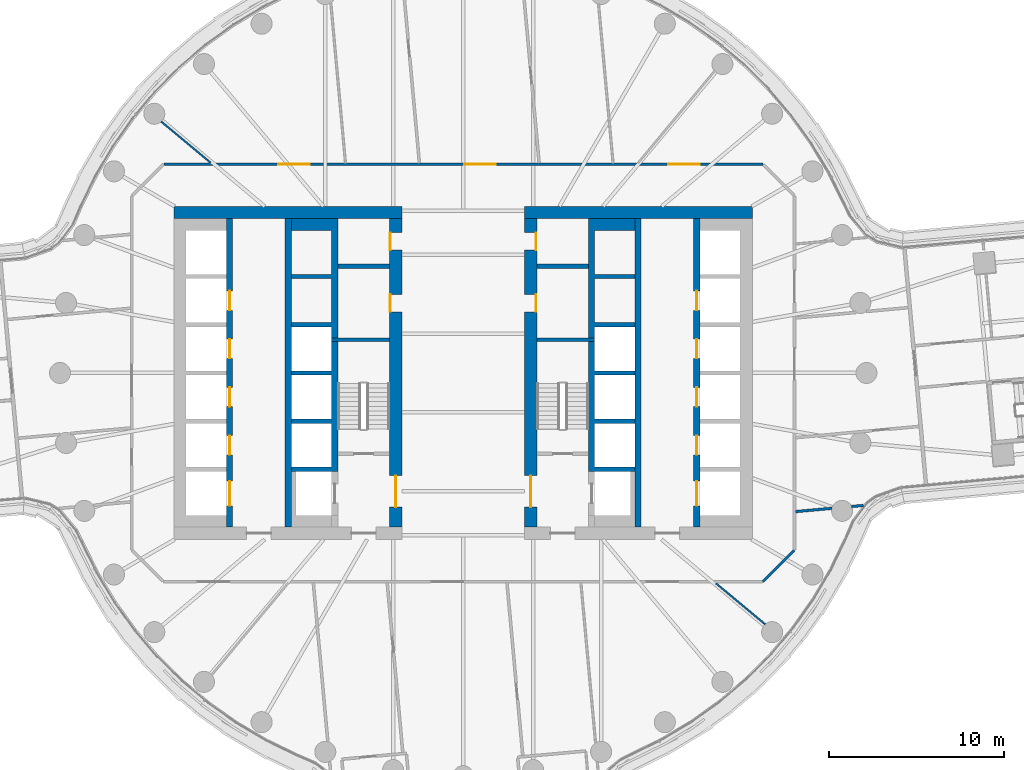
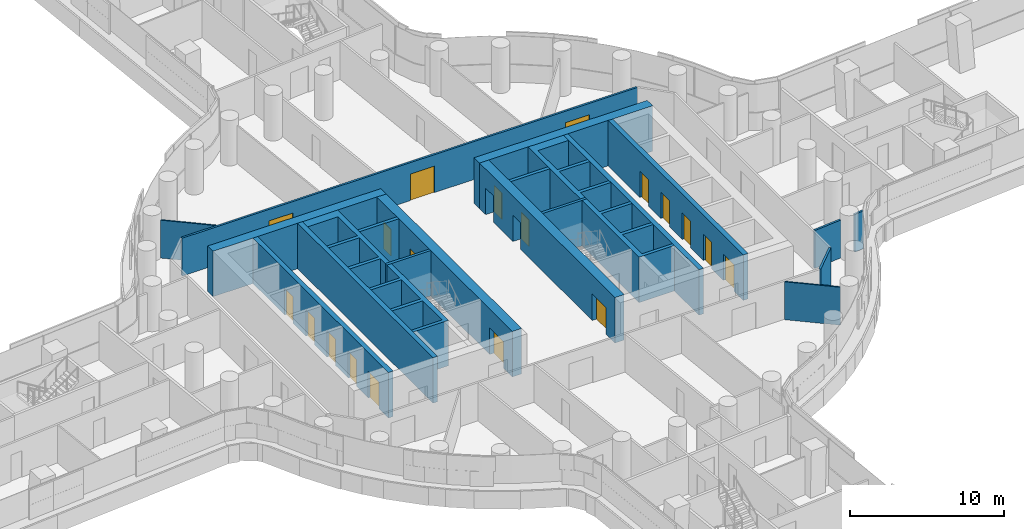
# One storey, part 21 of 31: 20 walls, 19 doors, 19 openings.
"""IFC4 building model written with IfcOpenShell, lengths in metres."""

import ifcopenshell
import ifcopenshell.guid

model = None  # the IFC model being written
_history = None  # IfcOwnerHistory: only IFC2X3 demands one
_inside = {}  # id of a spatial element -> (the spatial element, [elements in it])
_under = {}  # id of a project, library or spatial element -> (it, [spatial elements below it])
_declared = {}  # id of a project -> (the project, [libraries it declares])
_typed = {}  # id of a type object -> (the type object, [elements of that type])
_made_of = {}  # id of a material, layer set ... -> (it, [elements and type objects made of it])


def new_model(schema):
    """Start an empty IFC model of exactly this schema.

    Asked for "IFC4X3", IfcOpenShell would pick the latest addendum, in which some entities
    have other attributes; the version numbers below select the first issue.
    IFC2X3 requires an IfcOwnerHistory on every rooted entity: one is made here for all.
    """
    global model, _history
    if schema == "IFC4X3":
        model = ifcopenshell.file(schema_version=(4, 3, 0, 0))
    else:
        model = ifcopenshell.file(schema=schema)
    _inside.clear()
    _under.clear()
    _declared.clear()
    _typed.clear()
    _made_of.clear()
    _history = None
    if model.schema == "IFC2X3":
        org = make("IfcOrganization", Name="unknown")
        user = make(
            "IfcPersonAndOrganization",
            ThePerson=make("IfcPerson", FamilyName="unknown"),
            TheOrganization=org,
        )
        app = make(
            "IfcApplication",
            ApplicationDeveloper=org,
            Version="unknown",
            ApplicationFullName="unknown",
            ApplicationIdentifier="unknown",
        )
        _history = make(
            "IfcOwnerHistory",
            OwningUser=user,
            OwningApplication=app,
            ChangeAction="ADDED",
            CreationDate=0,
        )
    return model


def make(cls, **values):
    """One entity of the class cls with the attributes given. An attribute that is None is left unset."""
    return model.create_entity(
        cls, **{name: value for name, value in values.items() if value is not None}
    )


def rooted(cls, **values):
    """An entity with a GlobalId (a new one), such as an element, a storey or a relation."""
    return make(cls, GlobalId=ifcopenshell.guid.new(), OwnerHistory=_history, **values)


def si_unit(unit_type, name, prefix=None):
    """IfcSIUnit, for example si_unit("LENGTHUNIT", "METRE", prefix="MILLI")."""
    return make("IfcSIUnit", UnitType=unit_type, Prefix=prefix, Name=name)


def assignment(units):
    """IfcUnitAssignment: the units of a project."""
    return None if units is None else make("IfcUnitAssignment", Units=units)


def point(xyz):
    """IfcCartesianPoint."""
    return None if xyz is None else make("IfcCartesianPoint", Coordinates=xyz)


def direction(xyz):
    """IfcDirection."""
    return None if xyz is None else make("IfcDirection", DirectionRatios=xyz)


def frame(location, z_axis=None, x_axis=None):
    """IfcAxis2Placement3D, a coordinate frame: its origin and axes. An axis left out is left unset."""
    return make(
        "IfcAxis2Placement3D",
        Location=point(location),
        Axis=direction(z_axis),
        RefDirection=direction(x_axis),
    )


def frame_2d(location, x_axis=None):
    """IfcAxis2Placement2D, a coordinate frame in the plane: its origin and x axis."""
    return make(
        "IfcAxis2Placement2D", Location=point(location), RefDirection=direction(x_axis)
    )


def origin():
    """The frame at (0, 0, 0) with its axes left unset."""
    return frame((0.0, 0.0, 0.0))


def place(relative_to, where):
    """IfcLocalPlacement: puts the frame where relative to a parent placement (None: the world)."""
    return make(
        "IfcLocalPlacement", PlacementRelTo=relative_to, RelativePlacement=where
    )


def context(
    kind, dimensions, precision=None, world=None, true_north=None, identifier=None
):
    """IfcGeometricRepresentationContext, for example the 3D "Model" context."""
    return make(
        "IfcGeometricRepresentationContext",
        ContextIdentifier=identifier,
        ContextType=kind,
        CoordinateSpaceDimension=dimensions,
        Precision=precision,
        WorldCoordinateSystem=world,
        TrueNorth=true_north,
    )


def subcontext(parent, identifier, kind, view, scale=None):
    """IfcGeometricRepresentationSubContext, for example "Body" below "Model"."""
    return make(
        "IfcGeometricRepresentationSubContext",
        ContextIdentifier=identifier,
        ContextType=kind,
        ParentContext=parent,
        TargetScale=scale,
        TargetView=view,
    )


def project(units=None, contexts=None):
    """IfcProject with its units and contexts."""
    return rooted(
        "IfcProject",
        Name="project",
        RepresentationContexts=contexts,
        UnitsInContext=assignment(units),
    )


def spatial(cls, under=None, at=None, **own):
    """A site, building, storey or space (cls), placed at a placement, below another one or the project."""
    s = rooted(cls, ObjectPlacement=at, **own)
    if under is not None:
        _under.setdefault(under.id(), (under, []))[1].append(s)
    return s


def polyline(points):
    """IfcPolyline through the points."""
    return make("IfcPolyline", Points=[point(p) for p in points])


def profile(cls, at=None, kind="AREA", **sizes):
    """A parametric profile (cls). Its sizes go by their IFC names, for example OverallWidth=200.0."""
    return make(cls, ProfileType=kind, Position=at, **sizes)


def rectangle(**sizes):
    """IfcRectangleProfileDef."""
    return profile("IfcRectangleProfileDef", **sizes)


def outline(outer, holes=None, kind="AREA"):
    """IfcArbitraryClosedProfileDef: a profile drawn as a closed curve; with holes, ...WithVoids."""
    if holes is None:
        return make("IfcArbitraryClosedProfileDef", ProfileType=kind, OuterCurve=outer)
    return make(
        "IfcArbitraryProfileDefWithVoids",
        ProfileType=kind,
        OuterCurve=outer,
        InnerCurves=holes,
    )


def extrude(swept, where, along, depth):
    """IfcExtrudedAreaSolid: the profile swept, set in the frame where, extruded along a direction by depth."""
    return make(
        "IfcExtrudedAreaSolid",
        SweptArea=swept,
        Position=where,
        ExtrudedDirection=direction(along),
        Depth=depth,
    )


def shape(context_of_items, identifier, shape_type, items):
    """IfcShapeRepresentation: the items that make up one representation, for example the "Body"."""
    return make(
        "IfcShapeRepresentation",
        ContextOfItems=context_of_items,
        RepresentationIdentifier=identifier,
        RepresentationType=shape_type,
        Items=items,
    )


def material(Name=None, Category=None):
    """IfcMaterial."""
    return make("IfcMaterial", Name=Name, Category=Category)


def layer(
    of_material, thickness, ventilated=None, Name=None, Category=None, Priority=None
):
    """IfcMaterialLayer: one layer of a wall or slab, of a material (None: an air gap)."""
    return make(
        "IfcMaterialLayer",
        Material=of_material,
        LayerThickness=thickness,
        IsVentilated=ventilated,
        Name=Name,
        Category=Category,
        Priority=Priority,
    )


def layer_set(layers, Name=None):
    """IfcMaterialLayerSet."""
    return make("IfcMaterialLayerSet", MaterialLayers=layers, LayerSetName=Name)


def made_of(thing, what):
    """Note that an element or type object is made of a material, layer set ...; save() writes the relation."""
    if what is not None:
        _made_of.setdefault(what.id(), (what, []))[1].append(thing)
    return thing


def type_object(cls, material=None, **own):
    """A type object (cls), such as IfcWallType, which elements share."""
    return made_of(rooted(cls, **own), material)


def element(
    cls,
    number,
    at=None,
    inside=None,
    cuts=None,
    type_object=None,
    material=None,
    context=None,
    identifier="Body",
    shape_type=None,
    held_by="IfcProductDefinitionShape",
    body=None,
    shapes=None,
    **own,
):
    """One element of the class cls, such as IfcWall. Its Tag is "e" and its number.

    at: its placement. inside: the storey or other place that contains it. cuts: it is an
    opening in that element (IfcRelVoidsElement). A single representation is given by context,
    identifier, shape_type and body (its items); several are given by shapes. held_by: the class
    of the entity that holds the representations. save() writes the other relations.
    """
    e = rooted(cls, Tag="e%d" % number, ObjectPlacement=at, **own)
    if body is not None:
        shapes = [shape(context, identifier, shape_type, body)]
    if shapes is not None:
        e.Representation = make(held_by, Representations=shapes)
    if inside is not None:
        _inside.setdefault(inside.id(), (inside, []))[1].append(e)
    if cuts is not None:
        rooted(
            "IfcRelVoidsElement", RelatingBuildingElement=cuts, RelatedOpeningElement=e
        )
    if type_object is not None:
        _typed.setdefault(type_object.id(), (type_object, []))[1].append(e)
    return made_of(e, material)


def fill(opening, filler):
    """IfcRelFillsElement: the door or window that sits in an opening."""
    return rooted(
        "IfcRelFillsElement",
        RelatingOpeningElement=opening,
        RelatedBuildingElement=filler,
    )


def aggregate(whole, parts):
    """IfcRelAggregates: a whole, such as a stair, and the parts it consists of."""
    return rooted("IfcRelAggregates", RelatingObject=whole, RelatedObjects=parts)


def save(model, path):
    """Write the relations noted so far, then the file.

    IfcRelAggregates (storeys below a building ...), IfcRelContainedInSpatialStructure (elements
    in a storey), IfcRelDefinesByType, IfcRelAssociatesMaterial and IfcRelDeclares: one each for
    every whole, place, type object, material and project.
    """
    for whole, parts in _under.values():
        aggregate(whole, parts)
    for where, things in _inside.values():
        rooted(
            "IfcRelContainedInSpatialStructure",
            RelatedElements=things,
            RelatingStructure=where,
        )
    for kind, things in _typed.values():
        rooted("IfcRelDefinesByType", RelatedObjects=things, RelatingType=kind)
    for what, things in _made_of.values():
        rooted("IfcRelAssociatesMaterial", RelatedObjects=things, RelatingMaterial=what)
    for by, libraries in _declared.values():
        rooted("IfcRelDeclares", RelatingContext=by, RelatedDefinitions=libraries)
    model.write(path)


model = new_model("IFC4")

# Units and contexts
model_context = context("Model", 3, precision=1e-05, world=origin(), true_north=direction((0.0, 1.0)))
body_context = subcontext(model_context, "Body", "Model", "MODEL_VIEW")
ifc_project = project(units=[si_unit("LENGTHUNIT", "METRE"), si_unit("AREAUNIT", "SQUARE_METRE"), si_unit("VOLUMEUNIT", "CUBIC_METRE"), si_unit("PLANEANGLEUNIT", "RADIAN"), si_unit("MASSUNIT", "GRAM", prefix="KILO")], contexts=[model_context])

# Site, building, storey
site_placement = place(None, origin())
site = spatial("IfcSite", under=ifc_project, at=site_placement, CompositionType="ELEMENT")
building_placement = place(site_placement, origin())
building = spatial("IfcBuilding", under=site, at=building_placement, Name="Tamarind Cross Interchange Tower", CompositionType="ELEMENT")
storey_placement = place(building_placement, frame((0.0, 0.0, 52.75)))
storey = spatial("IfcBuildingStorey", under=building, at=storey_placement, Name="L11", CompositionType="ELEMENT", Elevation=52.75)

# Wall
ifc_material_1 = material(Name="Concrete C80", Category="concrete")
ifc_layer_1 = layer(ifc_material_1, 0.699951171875)
ifc_layer_set_1 = layer_set([ifc_layer_1], Name="Concrete C80")
wall_type_1 = type_object("IfcWallType", Name="Core wall 700 mm Concrete C80", PredefinedType="SHEAR", material=ifc_layer_set_1)
wall_1_placement = place(storey_placement, frame((-16.5, 9.14990234375, 0.0), z_axis=(0.0, 0.0, 1.0), x_axis=(1.0, 0.0, 0.0)))
element("IfcWall", 1, at=wall_1_placement, inside=storey, type_object=wall_type_1, Name="Core wall CWL-L11-W-NE", PredefinedType="SHEAR", context=body_context, shape_type="SweptSolid", body=[
    extrude(rectangle(XDim=13.0, YDim=0.699951171875, at=frame_2d((6.5, 0.0))), origin(), (0.0, 0.0, 1.0), 3.610107421875),
])

# Wall, openings, doors
wall_2_placement = place(storey_placement, frame((-3.85009765625, -8.800048828125, 0.0), z_axis=(0.0, 0.0, 1.0), x_axis=(0.0, 1.0, 0.0)))
wall_2 = element("IfcWall", 2, at=wall_2_placement, inside=storey, type_object=wall_type_1, Name="Core wall CWL-L11-W-IN", PredefinedType="SHEAR", context=body_context, shape_type="SweptSolid", body=[
    extrude(rectangle(XDim=17.60009765625, YDim=0.699951171875, at=frame_2d((8.800048828125, 0.0))), origin(), (0.0, 0.0, 1.0), 3.610107421875),
])
opening_1_placement = place(wall_2_placement, frame((1.14990234375, 0.0, 0.0)))
opening_1 = element("IfcOpeningElement", 3, at=opening_1_placement, cuts=wall_2, Name="Opening DCW4", PredefinedType="OPENING", context=body_context, shape_type="SweptSolid", body=[
    extrude(rectangle(XDim=1.800048828125, YDim=2.10009765625, at=frame_2d((0.89990234375, 1.050048828125))), frame((0.0, 0.35986328125, 0.0), z_axis=(0.0, -1.0, 0.0), x_axis=(1.0, 0.0, 0.0)), (0.0, 0.0, 1.0), 0.719970703125),
])
opening_2_placement = place(wall_2_placement, frame((12.277587890625, 0.0, 0.0)))
opening_2 = element("IfcOpeningElement", 4, at=opening_2_placement, cuts=wall_2, Name="Opening DCW5", PredefinedType="OPENING", context=body_context, shape_type="SweptSolid", body=[
    extrude(rectangle(XDim=1.0, YDim=2.10009765625, at=frame_2d((0.5, 1.050048828125))), frame((0.0, 0.35986328125, 0.0), z_axis=(0.0, -1.0, 0.0), x_axis=(1.0, 0.0, 0.0)), (0.0, 0.0, 1.0), 0.719970703125),
])
opening_3_placement = place(wall_2_placement, frame((15.802490234375, 0.0, 0.0)))
opening_3 = element("IfcOpeningElement", 5, at=opening_3_placement, cuts=wall_2, Name="Opening DCW5", PredefinedType="OPENING", context=body_context, shape_type="SweptSolid", body=[
    extrude(rectangle(XDim=1.0, YDim=2.10009765625, at=frame_2d((0.5, 1.050048828125))), frame((0.0, 0.35986328125, 0.0), z_axis=(0.0, -1.0, 0.0), x_axis=(1.0, 0.0, 0.0)), (0.0, 0.0, 1.0), 0.719970703125),
])
ifc_material_2 = material(Name="Steel, fire-resisting", Category="steel")
door_type_1 = type_object("IfcDoorType", Name="Core fire door 1000 x 2100 FD90", OperationType="SINGLE_SWING_LEFT", PredefinedType="DOOR", material=ifc_material_2)
door_1_placement = place(opening_2_placement, origin())
door_1 = element("IfcDoor", 6, at=door_1_placement, inside=storey, type_object=door_type_1, Name="L11 cleaner's store door", OperationType="SINGLE_SWING_LEFT", OverallHeight=2.10009765625, OverallWidth=1.0, PredefinedType="DOOR", context=body_context, shape_type="SweptSolid", body=[
    extrude(rectangle(XDim=1.0, YDim=2.10009765625, at=frame_2d((0.5, 1.050048828125))), frame((0.0, 0.3251953125, 0.0), z_axis=(0.0, -1.0, 0.0), x_axis=(1.0, 0.0, 0.0)), (0.0, 0.0, 1.0), 0.050048828125),
])
fill(opening_2, door_1)
door_2_placement = place(opening_3_placement, origin())
door_2 = element("IfcDoor", 7, at=door_2_placement, inside=storey, type_object=door_type_1, Name="L11 comms room door", OperationType="SINGLE_SWING_LEFT", OverallHeight=2.10009765625, OverallWidth=1.0, PredefinedType="DOOR", context=body_context, shape_type="SweptSolid", body=[
    extrude(rectangle(XDim=1.0, YDim=2.10009765625, at=frame_2d((0.5, 1.050048828125))), frame((0.0, 0.3251953125, 0.0), z_axis=(0.0, -1.0, 0.0), x_axis=(1.0, 0.0, 0.0)), (0.0, 0.0, 1.0), 0.050048828125),
])
fill(opening_3, door_2)
door_type_2 = type_object("IfcDoorType", Name="Core fire door 1800 x 2100 FD90", OperationType="SINGLE_SWING_LEFT", PredefinedType="DOOR", material=ifc_material_2)
door_3_placement = place(opening_1_placement, origin())
door_3 = element("IfcDoor", 8, at=door_3_placement, inside=storey, type_object=door_type_2, Name="L11 firefighting lobby door", OperationType="SINGLE_SWING_LEFT", OverallHeight=2.10009765625, OverallWidth=1.800048828125, PredefinedType="DOOR", context=body_context, shape_type="SweptSolid", body=[
    extrude(rectangle(XDim=1.800048828125, YDim=2.10009765625, at=frame_2d((0.89990234375, 1.050048828125))), frame((0.0, 0.02490234375, 0.0), z_axis=(0.0, -1.0, 0.0), x_axis=(1.0, 0.0, 0.0)), (0.0, 0.0, 1.0), 0.050048828125),
])
fill(opening_1, door_3)

# Wall
wall_3_placement = place(storey_placement, frame((16.5, 9.14990234375, 0.0), z_axis=(0.0, 0.0, 1.0), x_axis=(-1.0, 0.0, 0.0)))
element("IfcWall", 9, at=wall_3_placement, inside=storey, type_object=wall_type_1, Name="Core wall CWL-L11-E-NE", PredefinedType="SHEAR", context=body_context, shape_type="SweptSolid", body=[
    extrude(rectangle(XDim=13.0, YDim=0.699951171875, at=frame_2d((6.5, 0.0))), origin(), (0.0, 0.0, 1.0), 3.610107421875),
])

# Wall, openings, doors
wall_4_placement = place(storey_placement, frame((3.85009765625, -8.800048828125, 0.0), z_axis=(0.0, 0.0, 1.0), x_axis=(0.0, 1.0, 0.0)))
wall_4 = element("IfcWall", 10, at=wall_4_placement, inside=storey, type_object=wall_type_1, Name="Core wall CWL-L11-E-IN", PredefinedType="SHEAR", context=body_context, shape_type="SweptSolid", body=[
    extrude(rectangle(XDim=17.60009765625, YDim=0.699951171875, at=frame_2d((8.800048828125, 0.0))), origin(), (0.0, 0.0, 1.0), 3.610107421875),
])
opening_4_placement = place(wall_4_placement, frame((1.14990234375, 0.0, 0.0)))
opening_4 = element("IfcOpeningElement", 11, at=opening_4_placement, cuts=wall_4, Name="Opening DCE4", PredefinedType="OPENING", context=body_context, shape_type="SweptSolid", body=[
    extrude(rectangle(XDim=1.800048828125, YDim=2.10009765625, at=frame_2d((0.89990234375, 1.050048828125))), frame((0.0, 0.35986328125, 0.0), z_axis=(0.0, -1.0, 0.0), x_axis=(1.0, 0.0, 0.0)), (0.0, 0.0, 1.0), 0.719970703125),
])
opening_5_placement = place(wall_4_placement, frame((12.277587890625, 0.0, 0.0)))
opening_5 = element("IfcOpeningElement", 12, at=opening_5_placement, cuts=wall_4, Name="Opening DCE5", PredefinedType="OPENING", context=body_context, shape_type="SweptSolid", body=[
    extrude(rectangle(XDim=1.0, YDim=2.10009765625, at=frame_2d((0.5, 1.050048828125))), frame((0.0, 0.35986328125, 0.0), z_axis=(0.0, -1.0, 0.0), x_axis=(1.0, 0.0, 0.0)), (0.0, 0.0, 1.0), 0.719970703125),
])
opening_6_placement = place(wall_4_placement, frame((15.802490234375, 0.0, 0.0)))
opening_6 = element("IfcOpeningElement", 13, at=opening_6_placement, cuts=wall_4, Name="Opening DCE5", PredefinedType="OPENING", context=body_context, shape_type="SweptSolid", body=[
    extrude(rectangle(XDim=1.0, YDim=2.10009765625, at=frame_2d((0.5, 1.050048828125))), frame((0.0, 0.35986328125, 0.0), z_axis=(0.0, -1.0, 0.0), x_axis=(1.0, 0.0, 0.0)), (0.0, 0.0, 1.0), 0.719970703125),
])
door_4_placement = place(opening_5_placement, origin())
door_4 = element("IfcDoor", 14, at=door_4_placement, inside=storey, type_object=door_type_1, Name="L11 cleaner's store door", OperationType="SINGLE_SWING_LEFT", OverallHeight=2.10009765625, OverallWidth=1.0, PredefinedType="DOOR", context=body_context, shape_type="SweptSolid", body=[
    extrude(rectangle(XDim=1.0, YDim=2.10009765625, at=frame_2d((0.5, 1.050048828125))), frame((0.0, -0.27490234375, 0.0), z_axis=(0.0, -1.0, 0.0), x_axis=(1.0, 0.0, 0.0)), (0.0, 0.0, 1.0), 0.050048828125),
])
fill(opening_5, door_4)
door_5_placement = place(opening_6_placement, origin())
door_5 = element("IfcDoor", 15, at=door_5_placement, inside=storey, type_object=door_type_1, Name="L11 comms room door", OperationType="SINGLE_SWING_LEFT", OverallHeight=2.10009765625, OverallWidth=1.0, PredefinedType="DOOR", context=body_context, shape_type="SweptSolid", body=[
    extrude(rectangle(XDim=1.0, YDim=2.10009765625, at=frame_2d((0.5, 1.050048828125))), frame((0.0, -0.27490234375, 0.0), z_axis=(0.0, -1.0, 0.0), x_axis=(1.0, 0.0, 0.0)), (0.0, 0.0, 1.0), 0.050048828125),
])
fill(opening_6, door_5)
door_6_placement = place(opening_4_placement, origin())
door_6 = element("IfcDoor", 16, at=door_6_placement, inside=storey, type_object=door_type_2, Name="L11 firefighting lobby door", OperationType="SINGLE_SWING_LEFT", OverallHeight=2.10009765625, OverallWidth=1.800048828125, PredefinedType="DOOR", context=body_context, shape_type="SweptSolid", body=[
    extrude(rectangle(XDim=1.800048828125, YDim=2.10009765625, at=frame_2d((0.89990234375, 1.050048828125))), frame((0.0, 0.02490234375, 0.0), z_axis=(0.0, -1.0, 0.0), x_axis=(1.0, 0.0, 0.0)), (0.0, 0.0, 1.0), 0.050048828125),
])
fill(opening_4, door_6)

# Walls
ifc_layer_2 = layer(ifc_material_1, 0.199951171875)
ifc_layer_set_2 = layer_set([ifc_layer_2], Name="Concrete C80")
wall_type_2 = type_object("IfcWallType", Name="Core web wall 200 mm Concrete C80", PredefinedType="SHEAR", material=ifc_layer_set_2)
for number, where, z_axis, x_axis, name in (
    (17, (-7.5, 1.89990234375, 0.0), (0.0, 0.0, 1.0), (1.0, 0.0, 0.0), "Core wall CWL-L11-W-BD"),
    (18, (7.5, 1.89990234375, 0.0), (0.0, 0.0, 1.0), (-1.0, 0.0, 0.0), "Core wall CWL-L11-E-BD"),
):
    element("IfcWall", number, at=place(storey_placement, frame(where, z_axis=z_axis, x_axis=x_axis)), inside=storey, type_object=wall_type_2, Name=name, PredefinedType="SHEAR", context=body_context, shape_type="SweptSolid", body=[
        extrude(rectangle(XDim=3.300048828125, YDim=0.199951171875, at=frame_2d((1.64990234375, 0.0))), origin(), (0.0, 0.0, 1.0), 3.610107421875),
    ])
ifc_layer_3 = layer(ifc_material_1, 0.35009765625)
ifc_layer_set_3 = layer_set([ifc_layer_3], Name="Concrete C80")
wall_type_3 = type_object("IfcWallType", Name="Core web wall 350 mm Concrete C80", PredefinedType="SHEAR", material=ifc_layer_set_3)
wall_5_placement = place(storey_placement, origin())
element("IfcWall", 19, at=wall_5_placement, inside=storey, type_object=wall_type_3, Name="Core wall CWL-L11-W-BN", PredefinedType="SHEAR", context=body_context, shape_type="SweptSolid", body=[
    extrude(outline(polyline([(-9.800048828125, -5.375), (-9.800048828125, -5.625), (-7.5, -5.625), (-7.14990234375, -5.625), (-7.14990234375, 8.800048828125), (-7.5, 8.800048828125), (-9.800048828125, 8.800048828125), (-9.800048828125, 8.125), (-7.5, 8.125), (-7.5, 5.625), (-9.800048828125, 5.625), (-9.800048828125, 5.375), (-7.5, 5.375), (-7.5, 2.875), (-9.800048828125, 2.875), (-9.800048828125, 2.625), (-7.5, 2.625), (-7.5, 0.125), (-9.800048828125, 0.125), (-9.800048828125, -0.125), (-7.5, -0.125), (-7.5, -2.625), (-9.800048828125, -2.625), (-9.800048828125, -2.875), (-7.5, -2.875), (-7.5, -5.375), (-9.800048828125, -5.375)])), origin(), (0.0, 0.0, 1.0), 3.610107421875),
])

# Wall, openings, doors
wall_6_placement = place(storey_placement, frame((-13.324951171875, -8.800048828125, 0.0), z_axis=(0.0, 0.0, 1.0), x_axis=(0.0, 1.0, 0.0)))
wall_6 = element("IfcWall", 20, at=wall_6_placement, inside=storey, type_object=wall_type_3, Name="Core wall CWL-L11-W-LA", PredefinedType="SHEAR", context=body_context, shape_type="SweptSolid", body=[
    extrude(rectangle(XDim=17.60009765625, YDim=0.35009765625, at=frame_2d((8.800048828125, 0.0))), origin(), (0.0, 0.0, 1.0), 3.610107421875),
])
opening_7_placement = place(wall_6_placement, frame((1.22509765625, 0.0, 0.0)))
opening_7 = element("IfcOpeningElement", 21, at=opening_7_placement, cuts=wall_6, Name="Opening LD1L11", PredefinedType="OPENING", context=body_context, shape_type="SweptSolid", body=[
    extrude(rectangle(XDim=1.39990234375, YDim=2.10009765625, at=frame_2d((0.699951171875, 1.050048828125))), frame((0.0, 0.18505859375, 0.0), z_axis=(0.0, -1.0, 0.0), x_axis=(1.0, 0.0, 0.0)), (0.0, 0.0, 1.0), 0.3701171875),
])
opening_8_placement = place(wall_6_placement, frame((4.125, 0.0, 0.0)))
opening_8 = element("IfcOpeningElement", 22, at=opening_8_placement, cuts=wall_6, Name="Opening LD2L11", PredefinedType="OPENING", context=body_context, shape_type="SweptSolid", body=[
    extrude(rectangle(XDim=1.10009765625, YDim=2.10009765625, at=frame_2d((0.550048828125, 1.050048828125))), frame((0.0, 0.18505859375, 0.0), z_axis=(0.0, -1.0, 0.0), x_axis=(1.0, 0.0, 0.0)), (0.0, 0.0, 1.0), 0.3701171875),
])
opening_9_placement = place(wall_6_placement, frame((6.875, 0.0, 0.0)))
opening_9 = element("IfcOpeningElement", 23, at=opening_9_placement, cuts=wall_6, Name="Opening LD3L11", PredefinedType="OPENING", context=body_context, shape_type="SweptSolid", body=[
    extrude(rectangle(XDim=1.10009765625, YDim=2.10009765625, at=frame_2d((0.550048828125, 1.050048828125))), frame((0.0, 0.18505859375, 0.0), z_axis=(0.0, -1.0, 0.0), x_axis=(1.0, 0.0, 0.0)), (0.0, 0.0, 1.0), 0.3701171875),
])
opening_10_placement = place(wall_6_placement, frame((9.625, 0.0, 0.0)))
opening_10 = element("IfcOpeningElement", 24, at=opening_10_placement, cuts=wall_6, Name="Opening LD4L11", PredefinedType="OPENING", context=body_context, shape_type="SweptSolid", body=[
    extrude(rectangle(XDim=1.10009765625, YDim=2.10009765625, at=frame_2d((0.550048828125, 1.050048828125))), frame((0.0, 0.18505859375, 0.0), z_axis=(0.0, -1.0, 0.0), x_axis=(1.0, 0.0, 0.0)), (0.0, 0.0, 1.0), 0.3701171875),
])
opening_11_placement = place(wall_6_placement, frame((12.375, 0.0, 0.0)))
opening_11 = element("IfcOpeningElement", 25, at=opening_11_placement, cuts=wall_6, Name="Opening LD5L11", PredefinedType="OPENING", context=body_context, shape_type="SweptSolid", body=[
    extrude(rectangle(XDim=1.10009765625, YDim=2.10009765625, at=frame_2d((0.550048828125, 1.050048828125))), frame((0.0, 0.18505859375, 0.0), z_axis=(0.0, -1.0, 0.0), x_axis=(1.0, 0.0, 0.0)), (0.0, 0.0, 1.0), 0.3701171875),
])
ifc_material_3 = material(Name="Stainless steel panel", Category="steel")
door_type_3 = type_object("IfcDoorType", Name="Lift landing door 1100 x 2100 E 120", OperationType="SLIDING_TO_LEFT", PredefinedType="DOOR", material=ifc_material_3)
door_7_placement = place(opening_8_placement, origin())
door_7 = element("IfcDoor", 26, at=door_7_placement, inside=storey, type_object=door_type_3, Name="L11 landing door LF2", OperationType="SLIDING_TO_LEFT", OverallHeight=2.10009765625, OverallWidth=1.10009765625, PredefinedType="DOOR", context=body_context, shape_type="SweptSolid", body=[
    extrude(rectangle(XDim=1.10009765625, YDim=2.10009765625, at=frame_2d((0.550048828125, 1.050048828125))), frame((0.0, 0.02490234375, 0.0), z_axis=(0.0, -1.0, 0.0), x_axis=(1.0, 0.0, 0.0)), (0.0, 0.0, 1.0), 0.050048828125),
])
fill(opening_8, door_7)
door_8_placement = place(opening_9_placement, origin())
door_8 = element("IfcDoor", 27, at=door_8_placement, inside=storey, type_object=door_type_3, Name="L11 landing door LF3", OperationType="SLIDING_TO_LEFT", OverallHeight=2.10009765625, OverallWidth=1.10009765625, PredefinedType="DOOR", context=body_context, shape_type="SweptSolid", body=[
    extrude(rectangle(XDim=1.10009765625, YDim=2.10009765625, at=frame_2d((0.550048828125, 1.050048828125))), frame((0.0, 0.02490234375, 0.0), z_axis=(0.0, -1.0, 0.0), x_axis=(1.0, 0.0, 0.0)), (0.0, 0.0, 1.0), 0.050048828125),
])
fill(opening_9, door_8)
door_9_placement = place(opening_10_placement, origin())
door_9 = element("IfcDoor", 28, at=door_9_placement, inside=storey, type_object=door_type_3, Name="L11 landing door LF4", OperationType="SLIDING_TO_LEFT", OverallHeight=2.10009765625, OverallWidth=1.10009765625, PredefinedType="DOOR", context=body_context, shape_type="SweptSolid", body=[
    extrude(rectangle(XDim=1.10009765625, YDim=2.10009765625, at=frame_2d((0.550048828125, 1.050048828125))), frame((0.0, 0.02490234375, 0.0), z_axis=(0.0, -1.0, 0.0), x_axis=(1.0, 0.0, 0.0)), (0.0, 0.0, 1.0), 0.050048828125),
])
fill(opening_10, door_9)
door_10_placement = place(opening_11_placement, origin())
door_10 = element("IfcDoor", 29, at=door_10_placement, inside=storey, type_object=door_type_3, Name="L11 landing door LF5", OperationType="SLIDING_TO_LEFT", OverallHeight=2.10009765625, OverallWidth=1.10009765625, PredefinedType="DOOR", context=body_context, shape_type="SweptSolid", body=[
    extrude(rectangle(XDim=1.10009765625, YDim=2.10009765625, at=frame_2d((0.550048828125, 1.050048828125))), frame((0.0, 0.02490234375, 0.0), z_axis=(0.0, -1.0, 0.0), x_axis=(1.0, 0.0, 0.0)), (0.0, 0.0, 1.0), 0.050048828125),
])
fill(opening_11, door_10)
door_type_4 = type_object("IfcDoorType", Name="Lift landing door 1400 x 2100 E 120", OperationType="SLIDING_TO_LEFT", PredefinedType="DOOR", material=ifc_material_3)
door_11_placement = place(opening_7_placement, origin())
door_11 = element("IfcDoor", 30, at=door_11_placement, inside=storey, type_object=door_type_4, Name="L11 landing door LF1", OperationType="SLIDING_TO_LEFT", OverallHeight=2.10009765625, OverallWidth=1.39990234375, PredefinedType="DOOR", context=body_context, shape_type="SweptSolid", body=[
    extrude(rectangle(XDim=1.39990234375, YDim=2.10009765625, at=frame_2d((0.699951171875, 1.050048828125))), frame((0.0, 0.02490234375, 0.0), z_axis=(0.0, -1.0, 0.0), x_axis=(1.0, 0.0, 0.0)), (0.0, 0.0, 1.0), 0.050048828125),
])
fill(opening_7, door_11)

# Walls
wall_7_placement = place(storey_placement, frame((-9.97509765625, -8.800048828125, 0.0), z_axis=(0.0, 0.0, 1.0), x_axis=(0.0, 1.0, 0.0)))
element("IfcWall", 31, at=wall_7_placement, inside=storey, type_object=wall_type_3, Name="Core wall CWL-L11-W-LB", PredefinedType="SHEAR", context=body_context, shape_type="SweptSolid", body=[
    extrude(rectangle(XDim=17.60009765625, YDim=0.35009765625, at=frame_2d((8.800048828125, 0.0))), origin(), (0.0, 0.0, 1.0), 3.610107421875),
])
wall_8_placement = place(storey_placement, origin())
element("IfcWall", 32, at=wall_8_placement, inside=storey, type_object=wall_type_3, Name="Core wall CWL-L11-E-BN", PredefinedType="SHEAR", context=body_context, shape_type="SweptSolid", body=[
    extrude(outline(polyline([(9.800048828125, -5.375), (7.5, -5.375), (7.5, -2.875), (9.800048828125, -2.875), (9.800048828125, -2.625), (7.5, -2.625), (7.5, -0.125), (9.800048828125, -0.125), (9.800048828125, 0.125), (7.5, 0.125), (7.5, 2.625), (9.800048828125, 2.625), (9.800048828125, 2.875), (7.5, 2.875), (7.5, 5.375), (9.800048828125, 5.375), (9.800048828125, 5.625), (7.5, 5.625), (7.5, 8.125), (9.800048828125, 8.125), (9.800048828125, 8.800048828125), (7.5, 8.800048828125), (7.14990234375, 8.800048828125), (7.14990234375, -5.625), (7.5, -5.625), (9.800048828125, -5.625), (9.800048828125, -5.375)])), origin(), (0.0, 0.0, 1.0), 3.610107421875),
])

# Wall, openings, doors
wall_9_placement = place(storey_placement, frame((13.324951171875, -8.800048828125, 0.0), z_axis=(0.0, 0.0, 1.0), x_axis=(0.0, 1.0, 0.0)))
wall_9 = element("IfcWall", 33, at=wall_9_placement, inside=storey, type_object=wall_type_3, Name="Core wall CWL-L11-E-LA", PredefinedType="SHEAR", context=body_context, shape_type="SweptSolid", body=[
    extrude(rectangle(XDim=17.60009765625, YDim=0.35009765625, at=frame_2d((8.800048828125, 0.0))), origin(), (0.0, 0.0, 1.0), 3.610107421875),
])
opening_12_placement = place(wall_9_placement, frame((1.22509765625, 0.0, 0.0)))
opening_12 = element("IfcOpeningElement", 34, at=opening_12_placement, cuts=wall_9, Name="Opening LD13L11", PredefinedType="OPENING", context=body_context, shape_type="SweptSolid", body=[
    extrude(rectangle(XDim=1.39990234375, YDim=2.10009765625, at=frame_2d((0.699951171875, 1.050048828125))), frame((0.0, 0.18505859375, 0.0), z_axis=(0.0, -1.0, 0.0), x_axis=(1.0, 0.0, 0.0)), (0.0, 0.0, 1.0), 0.3701171875),
])
opening_13_placement = place(wall_9_placement, frame((4.125, 0.0, 0.0)))
opening_13 = element("IfcOpeningElement", 35, at=opening_13_placement, cuts=wall_9, Name="Opening LD14L11", PredefinedType="OPENING", context=body_context, shape_type="SweptSolid", body=[
    extrude(rectangle(XDim=1.10009765625, YDim=2.10009765625, at=frame_2d((0.550048828125, 1.050048828125))), frame((0.0, 0.18505859375, 0.0), z_axis=(0.0, -1.0, 0.0), x_axis=(1.0, 0.0, 0.0)), (0.0, 0.0, 1.0), 0.3701171875),
])
opening_14_placement = place(wall_9_placement, frame((6.875, 0.0, 0.0)))
opening_14 = element("IfcOpeningElement", 36, at=opening_14_placement, cuts=wall_9, Name="Opening LD15L11", PredefinedType="OPENING", context=body_context, shape_type="SweptSolid", body=[
    extrude(rectangle(XDim=1.10009765625, YDim=2.10009765625, at=frame_2d((0.550048828125, 1.050048828125))), frame((0.0, 0.18505859375, 0.0), z_axis=(0.0, -1.0, 0.0), x_axis=(1.0, 0.0, 0.0)), (0.0, 0.0, 1.0), 0.3701171875),
])
opening_15_placement = place(wall_9_placement, frame((9.625, 0.0, 0.0)))
opening_15 = element("IfcOpeningElement", 37, at=opening_15_placement, cuts=wall_9, Name="Opening LD16L11", PredefinedType="OPENING", context=body_context, shape_type="SweptSolid", body=[
    extrude(rectangle(XDim=1.10009765625, YDim=2.10009765625, at=frame_2d((0.550048828125, 1.050048828125))), frame((0.0, 0.18505859375, 0.0), z_axis=(0.0, -1.0, 0.0), x_axis=(1.0, 0.0, 0.0)), (0.0, 0.0, 1.0), 0.3701171875),
])
opening_16_placement = place(wall_9_placement, frame((12.375, 0.0, 0.0)))
opening_16 = element("IfcOpeningElement", 38, at=opening_16_placement, cuts=wall_9, Name="Opening LD17L11", PredefinedType="OPENING", context=body_context, shape_type="SweptSolid", body=[
    extrude(rectangle(XDim=1.10009765625, YDim=2.10009765625, at=frame_2d((0.550048828125, 1.050048828125))), frame((0.0, 0.18505859375, 0.0), z_axis=(0.0, -1.0, 0.0), x_axis=(1.0, 0.0, 0.0)), (0.0, 0.0, 1.0), 0.3701171875),
])
door_12_placement = place(opening_13_placement, origin())
door_12 = element("IfcDoor", 39, at=door_12_placement, inside=storey, type_object=door_type_3, Name="L11 landing door LF14", OperationType="SLIDING_TO_LEFT", OverallHeight=2.10009765625, OverallWidth=1.10009765625, PredefinedType="DOOR", context=body_context, shape_type="SweptSolid", body=[
    extrude(rectangle(XDim=1.10009765625, YDim=2.10009765625, at=frame_2d((0.550048828125, 1.050048828125))), frame((0.0, 0.02490234375, 0.0), z_axis=(0.0, -1.0, 0.0), x_axis=(1.0, 0.0, 0.0)), (0.0, 0.0, 1.0), 0.050048828125),
])
fill(opening_13, door_12)
door_13_placement = place(opening_14_placement, origin())
door_13 = element("IfcDoor", 40, at=door_13_placement, inside=storey, type_object=door_type_3, Name="L11 landing door LF15", OperationType="SLIDING_TO_LEFT", OverallHeight=2.10009765625, OverallWidth=1.10009765625, PredefinedType="DOOR", context=body_context, shape_type="SweptSolid", body=[
    extrude(rectangle(XDim=1.10009765625, YDim=2.10009765625, at=frame_2d((0.550048828125, 1.050048828125))), frame((0.0, 0.02490234375, 0.0), z_axis=(0.0, -1.0, 0.0), x_axis=(1.0, 0.0, 0.0)), (0.0, 0.0, 1.0), 0.050048828125),
])
fill(opening_14, door_13)
door_14_placement = place(opening_15_placement, origin())
door_14 = element("IfcDoor", 41, at=door_14_placement, inside=storey, type_object=door_type_3, Name="L11 landing door LF16", OperationType="SLIDING_TO_LEFT", OverallHeight=2.10009765625, OverallWidth=1.10009765625, PredefinedType="DOOR", context=body_context, shape_type="SweptSolid", body=[
    extrude(rectangle(XDim=1.10009765625, YDim=2.10009765625, at=frame_2d((0.550048828125, 1.050048828125))), frame((0.0, 0.02490234375, 0.0), z_axis=(0.0, -1.0, 0.0), x_axis=(1.0, 0.0, 0.0)), (0.0, 0.0, 1.0), 0.050048828125),
])
fill(opening_15, door_14)
door_15_placement = place(opening_16_placement, origin())
door_15 = element("IfcDoor", 42, at=door_15_placement, inside=storey, type_object=door_type_3, Name="L11 landing door LF17", OperationType="SLIDING_TO_LEFT", OverallHeight=2.10009765625, OverallWidth=1.10009765625, PredefinedType="DOOR", context=body_context, shape_type="SweptSolid", body=[
    extrude(rectangle(XDim=1.10009765625, YDim=2.10009765625, at=frame_2d((0.550048828125, 1.050048828125))), frame((0.0, 0.02490234375, 0.0), z_axis=(0.0, -1.0, 0.0), x_axis=(1.0, 0.0, 0.0)), (0.0, 0.0, 1.0), 0.050048828125),
])
fill(opening_16, door_15)
door_16_placement = place(opening_12_placement, origin())
door_16 = element("IfcDoor", 43, at=door_16_placement, inside=storey, type_object=door_type_4, Name="L11 landing door LF13", OperationType="SLIDING_TO_LEFT", OverallHeight=2.10009765625, OverallWidth=1.39990234375, PredefinedType="DOOR", context=body_context, shape_type="SweptSolid", body=[
    extrude(rectangle(XDim=1.39990234375, YDim=2.10009765625, at=frame_2d((0.699951171875, 1.050048828125))), frame((0.0, 0.02490234375, 0.0), z_axis=(0.0, -1.0, 0.0), x_axis=(1.0, 0.0, 0.0)), (0.0, 0.0, 1.0), 0.050048828125),
])
fill(opening_12, door_16)

# Walls
wall_10_placement = place(storey_placement, frame((9.97509765625, -8.800048828125, 0.0), z_axis=(0.0, 0.0, 1.0), x_axis=(0.0, 1.0, 0.0)))
element("IfcWall", 44, at=wall_10_placement, inside=storey, type_object=wall_type_3, Name="Core wall CWL-L11-E-LB", PredefinedType="SHEAR", context=body_context, shape_type="SweptSolid", body=[
    extrude(rectangle(XDim=17.60009765625, YDim=0.35009765625, at=frame_2d((8.800048828125, 0.0))), origin(), (0.0, 0.0, 1.0), 3.610107421875),
])
ifc_material_4 = material(Name="Gypsum board partition on steel studs", Category="steel")
ifc_layer_4 = layer(ifc_material_4, 0.10009765625)
ifc_layer_set_4 = layer_set([ifc_layer_4], Name="Gypsum board partition on steel studs")
wall_type_4 = type_object("IfcWallType", Name="Partition 100 mm EI 120", PredefinedType="PARTITIONING", material=ifc_layer_set_4)
wall_11_placement = place(storey_placement, frame((-17.228271484375, 14.341552734375, 0.0), z_axis=(0.0, 0.0, 1.0), x_axis=(0.768592312947, -0.639738897113, 0.0)))
element("IfcWall", 45, at=wall_11_placement, inside=storey, type_object=wall_type_4, Name="Partition L11-033", PredefinedType="PARTITIONING", context=body_context, shape_type="SweptSolid", body=[
    extrude(rectangle(XDim=3.666259765625, YDim=0.10009765625, at=frame_2d((1.8330078125, 0.0))), origin(), (0.0, 0.0, 1.0), 3.010009765625),
])
wall_12_placement = place(storey_placement, frame((14.411865234375, -11.994140625, 0.0), z_axis=(0.0, 0.0, 1.0), x_axis=(0.768586824175, -0.639745491352, 0.0)))
element("IfcWall", 46, at=wall_12_placement, inside=storey, type_object=wall_type_4, Name="Partition L11-034", PredefinedType="PARTITIONING", context=body_context, shape_type="SweptSolid", body=[
    extrude(rectangle(XDim=3.66650390625, YDim=0.10009765625, at=frame_2d((1.833251953125, 0.0))), origin(), (0.0, 0.0, 1.0), 3.010009765625),
])

# Wall, openings, doors
ifc_layer_5 = layer(ifc_material_4, 0.14990234375)
ifc_layer_set_5 = layer_set([ifc_layer_5], Name="Gypsum board partition on steel studs")
wall_type_5 = type_object("IfcWallType", Name="Partition 150 mm EI 120", PredefinedType="PARTITIONING", material=ifc_layer_set_5)
wall_13_placement = place(storey_placement, frame((-17.06494140625, 11.89990234375, 0.0), z_axis=(0.0, 0.0, 1.0), x_axis=(1.0, 0.0, 0.0)))
wall_13 = element("IfcWall", 47, at=wall_13_placement, inside=storey, type_object=wall_type_5, Name="Partition L11-036", PredefinedType="PARTITIONING", context=body_context, shape_type="SweptSolid", body=[
    extrude(rectangle(XDim=34.1650390625, YDim=0.14990234375, at=frame_2d((17.08251953125, 0.0))), origin(), (0.0, 0.0, 1.0), 3.010009765625),
])
opening_17_placement = place(wall_13_placement, frame((17.1240234375, 0.0, 0.0)))
opening_17 = element("IfcOpeningElement", 48, at=opening_17_placement, cuts=wall_13, Name="Opening D20", PredefinedType="OPENING", context=body_context, shape_type="SweptSolid", body=[
    extrude(rectangle(XDim=1.800048828125, YDim=2.10009765625, at=frame_2d((0.89990234375, 1.050048828125))), frame((0.0, 0.0849609375, 0.0), z_axis=(0.0, -1.0, 0.0), x_axis=(1.0, 0.0, 0.0)), (0.0, 0.0, 1.0), 0.169921875),
])
opening_18_placement = place(wall_13_placement, frame((28.77099609375, 0.0, 0.0)))
opening_18 = element("IfcOpeningElement", 49, at=opening_18_placement, cuts=wall_13, Name="Opening D21", PredefinedType="OPENING", context=body_context, shape_type="SweptSolid", body=[
    extrude(rectangle(XDim=1.800048828125, YDim=2.10009765625, at=frame_2d((0.89990234375, 1.050048828125))), frame((0.0, 0.0849609375, 0.0), z_axis=(0.0, -1.0, 0.0), x_axis=(1.0, 0.0, 0.0)), (0.0, 0.0, 1.0), 0.169921875),
])
opening_19_placement = place(wall_13_placement, frame((6.52001953125, 0.0, 0.0)))
opening_19 = element("IfcOpeningElement", 50, at=opening_19_placement, cuts=wall_13, Name="Opening D22", PredefinedType="OPENING", context=body_context, shape_type="SweptSolid", body=[
    extrude(rectangle(XDim=1.800048828125, YDim=2.10009765625, at=frame_2d((0.89990234375, 1.050048828125))), frame((0.0, 0.0849609375, 0.0), z_axis=(0.0, -1.0, 0.0), x_axis=(1.0, 0.0, 0.0)), (0.0, 0.0, 1.0), 0.169921875),
])
ifc_material_5 = material(Name="Fire-resisting door set")
door_type_5 = type_object("IfcDoorType", Name="Interior door 1800 x 2100 FD60S", OperationType="DOUBLE_DOOR_SINGLE_SWING", PredefinedType="DOOR", material=ifc_material_5)
door_17_placement = place(opening_17_placement, frame((1.800048828125, 0.0, 0.0), z_axis=(0.0, 0.0, 1.0), x_axis=(-1.0, 0.0, 0.0)))
door_17 = element("IfcDoor", 51, at=door_17_placement, inside=storey, type_object=door_type_5, Name="Door D20", OperationType="DOUBLE_DOOR_SINGLE_SWING", OverallHeight=2.10009765625, OverallWidth=1.800048828125, PredefinedType="DOOR", context=body_context, shape_type="SweptSolid", body=[
    extrude(rectangle(XDim=1.800048828125, YDim=2.10009765625, at=frame_2d((0.89990234375, 1.050048828125))), frame((0.0, 0.02490234375, 0.0), z_axis=(0.0, -1.0, 0.0), x_axis=(1.0, 0.0, 0.0)), (0.0, 0.0, 1.0), 0.050048828125),
])
fill(opening_17, door_17)
door_18_placement = place(opening_18_placement, origin())
door_18 = element("IfcDoor", 52, at=door_18_placement, inside=storey, type_object=door_type_5, Name="Door D21", OperationType="DOUBLE_DOOR_SINGLE_SWING", OverallHeight=2.10009765625, OverallWidth=1.800048828125, PredefinedType="DOOR", context=body_context, shape_type="SweptSolid", body=[
    extrude(rectangle(XDim=1.800048828125, YDim=2.10009765625, at=frame_2d((0.89990234375, 1.050048828125))), frame((0.0, 0.02490234375, 0.0), z_axis=(0.0, -1.0, 0.0), x_axis=(1.0, 0.0, 0.0)), (0.0, 0.0, 1.0), 0.050048828125),
])
fill(opening_18, door_18)
door_19_placement = place(opening_19_placement, origin())
door_19 = element("IfcDoor", 53, at=door_19_placement, inside=storey, type_object=door_type_5, Name="Door D22", OperationType="DOUBLE_DOOR_SINGLE_SWING", OverallHeight=2.10009765625, OverallWidth=1.800048828125, PredefinedType="DOOR", context=body_context, shape_type="SweptSolid", body=[
    extrude(rectangle(XDim=1.800048828125, YDim=2.10009765625, at=frame_2d((0.89990234375, 1.050048828125))), frame((0.0, 0.02490234375, 0.0), z_axis=(0.0, -1.0, 0.0), x_axis=(1.0, 0.0, 0.0)), (0.0, 0.0, 1.0), 0.050048828125),
])
fill(opening_19, door_19)

# Walls
wall_14_placement = place(storey_placement, frame((18.964599609375, -7.9091796875, 0.0), z_axis=(0.0, 0.0, 1.0), x_axis=(0.995837392729, 0.091147612376, 0.0)))
element("IfcWall", 54, at=wall_14_placement, inside=storey, type_object=wall_type_5, Name="Partition L11-067", PredefinedType="PARTITIONING", context=body_context, shape_type="SweptSolid", body=[
    extrude(rectangle(XDim=2.086669921875, YDim=0.14990234375, at=frame_2d((1.04345703125, 0.0))), origin(), (0.0, 0.0, 1.0), 3.010009765625),
])
wall_15_placement = place(storey_placement, frame((22.156005859375, -7.616943359375, 0.0), z_axis=(0.0, 0.0, 1.0), x_axis=(0.995860226183, 0.090897799237, 0.0)))
element("IfcWall", 55, at=wall_15_placement, inside=storey, type_object=wall_type_5, Name="Partition L11-068", PredefinedType="PARTITIONING", context=body_context, shape_type="SweptSolid", body=[
    extrude(rectangle(XDim=0.668701171875, YDim=0.14990234375, at=frame_2d((0.33447265625, 0.0))), origin(), (0.0, 0.0, 1.0), 3.010009765625),
])
wall_16_placement = place(storey_placement, frame((17.10009765625, -11.89990234375, 0.0), z_axis=(0.0, 0.0, 1.0), x_axis=(0.707106781187, 0.707106781187, 0.0)))
element("IfcWall", 56, at=wall_16_placement, inside=storey, type_object=wall_type_5, Name="Partition L11-072", PredefinedType="PARTITIONING", context=body_context, shape_type="SweptSolid", body=[
    extrude(rectangle(XDim=2.50537109375, YDim=0.14990234375, at=frame_2d((1.252685546875, 0.0))), origin(), (0.0, 0.0, 1.0), 3.010009765625),
])
ifc_material_6 = material(Name="Concrete C40", Category="concrete")
ifc_layer_6 = layer(ifc_material_6, 0.25)
ifc_layer_set_6 = layer_set([ifc_layer_6], Name="Concrete C40")
wall_type_6 = type_object("IfcWallType", Name="Shaft and lobby wall 250 mm Concrete C40", PredefinedType="PARTITIONING", material=ifc_layer_set_6)
for number, where, z_axis, x_axis, name in (
    (57, (-7.14990234375, 6.080078125, 0.0), (0.0, 0.0, 1.0), (1.0, 0.0, 0.0), "Shaft wall CWL-L11-W-SVP"),
    (58, (7.14990234375, 6.080078125, 0.0), (0.0, 0.0, 1.0), (-1.0, 0.0, 0.0), "Shaft wall CWL-L11-E-SVP"),
):
    element("IfcWall", number, at=place(storey_placement, frame(where, z_axis=z_axis, x_axis=x_axis)), inside=storey, type_object=wall_type_6, Name=name, PredefinedType="PARTITIONING", context=body_context, shape_type="SweptSolid", body=[
        extrude(rectangle(XDim=2.949951171875, YDim=0.25, at=frame_2d((1.47509765625, 0.0))), origin(), (0.0, 0.0, 1.0), 3.610107421875),
    ])

save(model, "model.ifc")
